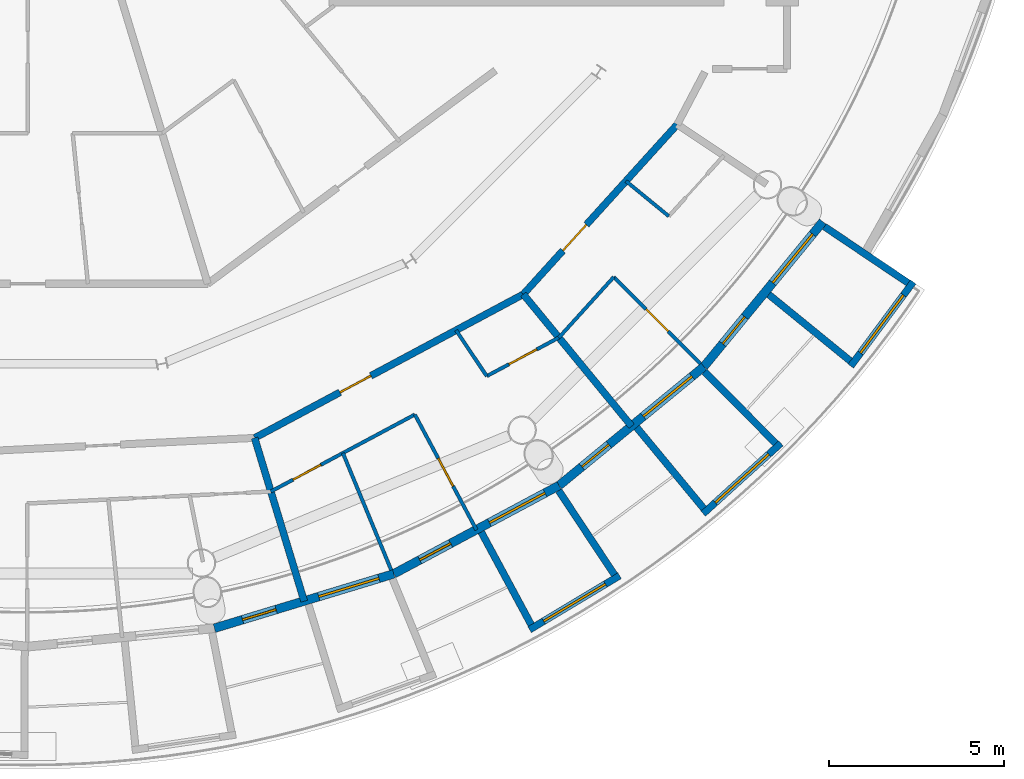
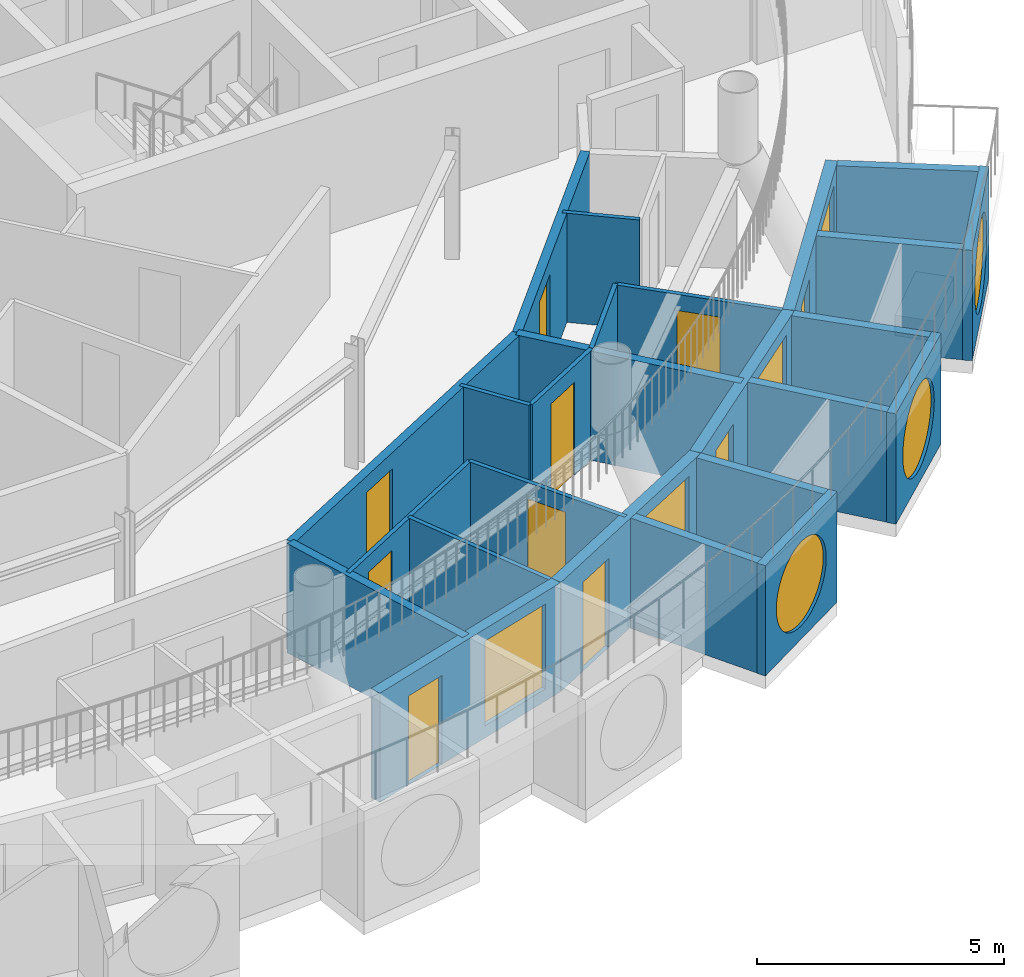
# One storey, part 17 of 29: 25 walls, 10 doors, 7 windows, 17 openings.
"""IFC4 building model written with IfcOpenShell, lengths in metres."""

from ifc_helpers import new_model, si_unit, direction, frame, frame_2d, origin, place, context, subcontext, project, spatial, rectangle, circle, extrude, material, layer, layer_set, type_object, element, fill, save


model = new_model("IFC4")

# Units and contexts
model_context = context("Model", 3, precision=1e-05, world=origin(), true_north=direction((0.0, 1.0)))
body_context = subcontext(model_context, "Body", "Model", "MODEL_VIEW")
ifc_project = project(units=[si_unit("LENGTHUNIT", "METRE"), si_unit("AREAUNIT", "SQUARE_METRE"), si_unit("VOLUMEUNIT", "CUBIC_METRE"), si_unit("PLANEANGLEUNIT", "RADIAN"), si_unit("MASSUNIT", "GRAM", prefix="KILO")], contexts=[model_context])

# Site, building, storey
site_placement = place(None, origin())
site = spatial("IfcSite", under=ifc_project, at=site_placement, CompositionType="ELEMENT")
building_placement = place(site_placement, origin())
building = spatial("IfcBuilding", under=site, at=building_placement, Name="Maasbend Ring Residences", CompositionType="ELEMENT")
storey_placement = place(building_placement, frame((0.0, 0.0, 234.050048828125)))
storey = spatial("IfcBuildingStorey", under=building, at=storey_placement, Name="L67", CompositionType="ELEMENT", Elevation=234.050048828125)

# Wall, opening, door
ifc_material_1 = material(Name="Concrete C30/37", Category="concrete")
ifc_layer_1 = layer(ifc_material_1, 0.199951171875)
ifc_layer_set_1 = layer_set([ifc_layer_1], Name="Concrete C30/37")
wall_type_1 = type_object("IfcWallType", Name="CORRIDOR WALL 200 CONCRETE", PredefinedType="PARTITIONING", material=ifc_layer_set_1)
wall_1_placement = place(storey_placement, frame((14.14697265625, -17.238037109375, 0.0), z_axis=(0.0, 0.0, 1.0), x_axis=(0.671561669125, 0.740948665268, 0.0)))
wall_1 = element("IfcWall", 1, at=wall_1_placement, inside=storey, type_object=wall_type_1, Name="U-L67-w013", PredefinedType="PARTITIONING", context=body_context, shape_type="SweptSolid", body=[
    extrude(rectangle(XDim=6.54443359375, YDim=0.199951171875, at=frame_2d((3.272216796875, 0.0))), origin(), (0.0, 0.0, 1.0), 2.699951171875),
])
opening_1_placement = place(wall_1_placement, frame((1.681884765625, 0.0, 0.0)))
opening_1 = element("IfcOpeningElement", 2, at=opening_1_placement, cuts=wall_1, Name="Opening D-6751", PredefinedType="OPENING", context=body_context, shape_type="SweptSolid", body=[
    extrude(rectangle(XDim=1.0, YDim=2.300048828125, at=frame_2d((0.5, 1.14990234375))), frame((0.0, 0.10986328125, 0.0), z_axis=(0.0, -1.0, 0.0), x_axis=(1.0, 0.0, 0.0)), (0.0, 0.0, 1.0), 0.219970703125),
])
ifc_material_2 = material(Name="Timber, fire-rated, painted", Category="wood")
door_type_1 = type_object("IfcDoorType", Name="FLAT ENTRANCE DOOR 1000 X 2300 FIRE-RATED", OperationType="NOTDEFINED", PredefinedType="DOOR", material=ifc_material_2)
door_1_placement = place(opening_1_placement, origin())
door_1 = element("IfcDoor", 3, at=door_1_placement, inside=storey, type_object=door_type_1, Name="D-6751", OperationType="SINGLE_SWING_LEFT", OverallHeight=2.300048828125, OverallWidth=1.0, PredefinedType="DOOR", context=body_context, shape_type="SweptSolid", body=[
    extrude(rectangle(XDim=1.0, YDim=2.300048828125, at=frame_2d((0.5, 1.14990234375))), frame((0.0, 0.02490234375, 0.0), z_axis=(0.0, -1.0, 0.0), x_axis=(1.0, 0.0, 0.0)), (0.0, 0.0, 1.0), 0.050048828125),
])
fill(opening_1, door_1)

wall_2_placement = place(storey_placement, frame((6.47998046875, -21.339111328125, 0.0), z_axis=(0.0, 0.0, 1.0), x_axis=(0.881794682218, 0.471633478892, 0.0)))
wall_2 = element("IfcWall", 4, at=wall_2_placement, inside=storey, type_object=wall_type_1, Name="U-L67-w016", PredefinedType="PARTITIONING", context=body_context, shape_type="SweptSolid", body=[
    extrude(rectangle(XDim=8.70166015625, YDim=0.199951171875, at=frame_2d((4.350830078125, 0.0))), origin(), (0.0, 0.0, 1.0), 2.699951171875),
])
opening_2_placement = place(wall_2_placement, frame((2.758056640625, 0.0, 0.0)))
opening_2 = element("IfcOpeningElement", 5, at=opening_2_placement, cuts=wall_2, Name="Opening D-6747", PredefinedType="OPENING", context=body_context, shape_type="SweptSolid", body=[
    extrude(rectangle(XDim=1.0, YDim=2.300048828125, at=frame_2d((0.5, 1.14990234375))), frame((0.0, 0.10986328125, 0.0), z_axis=(0.0, -1.0, 0.0), x_axis=(1.0, 0.0, 0.0)), (0.0, 0.0, 1.0), 0.219970703125),
])
door_2_placement = place(opening_2_placement, origin())
door_2 = element("IfcDoor", 6, at=door_2_placement, inside=storey, type_object=door_type_1, Name="D-6747", OperationType="SINGLE_SWING_LEFT", OverallHeight=2.300048828125, OverallWidth=1.0, PredefinedType="DOOR", context=body_context, shape_type="SweptSolid", body=[
    extrude(rectangle(XDim=1.0, YDim=2.300048828125, at=frame_2d((0.5, 1.14990234375))), frame((0.0, 0.02490234375, 0.0), z_axis=(0.0, -1.0, 0.0), x_axis=(1.0, 0.0, 0.0)), (0.0, 0.0, 1.0), 0.050048828125),
])
fill(opening_2, door_2)

# Wall, opening, window
ifc_material_3 = material(Name="Pale anodised aluminium panel", Category="aluminium")
ifc_layer_2 = layer(ifc_material_3, 0.199951171875)
ifc_layer_set_2 = layer_set([ifc_layer_2], Name="EW-BOX")
wall_type_2 = type_object("IfcWallType", Name="EW-BOX", PredefinedType="SOLIDWALL", material=ifc_layer_set_2)
wall_3_placement = place(storey_placement, frame((14.325927734375, -26.81298828125, -0.030029296875), z_axis=(0.0, 0.0, 1.0), x_axis=(0.857672799601, 0.51419584676, 0.0)))
wall_3 = element("IfcWall", 7, at=wall_3_placement, inside=storey, type_object=wall_type_2, Name="Box front S16", PredefinedType="SOLIDWALL", context=body_context, shape_type="SweptSolid", body=[
    extrude(rectangle(XDim=2.9931640625, YDim=0.199951171875, at=frame_2d((1.49658203125, 0.0))), origin(), (0.0, 0.0, 1.0), 2.72998046875),
])
opening_3_placement = place(wall_3_placement, frame((0.45654296875, 0.0, 0.330078125)))
opening_3 = element("IfcOpeningElement", 8, at=opening_3_placement, cuts=wall_3, Name="Opening W-RD", PredefinedType="OPENING", context=body_context, shape_type="SweptSolid", body=[
    extrude(circle(Radius=1.0400390625, at=frame_2d((1.0400390625, 1.0400390625))), frame((0.0, 0.10986328125, 0.0), z_axis=(0.0, -1.0, 0.0), x_axis=(1.0, 0.0, 0.0)), (0.0, 0.0, 1.0), 0.219970703125),
])
ifc_material_4 = material(Name="Aluminium and clear glass", Category="aluminium")
window_type_1 = type_object("IfcWindowType", Name="W-RD", PartitioningType="SINGLE_PANEL", PredefinedType="WINDOW", material=ifc_material_4)
window_1_placement = place(opening_3_placement, origin())
window_1 = element("IfcWindow", 9, at=window_1_placement, inside=storey, type_object=window_type_1, Name="Round window S16", OverallHeight=2.080078125, OverallWidth=2.080078125, PartitioningType="SINGLE_PANEL", PredefinedType="WINDOW", context=body_context, shape_type="SweptSolid", body=[
    extrude(circle(Radius=1.0400390625, at=frame_2d((1.0400390625, 1.0400390625))), frame((0.0, 0.030029296875, 0.0), z_axis=(0.0, -1.0, 0.0), x_axis=(1.0, 0.0, 0.0)), (0.0, 0.0, 1.0), 0.06005859375),
])
fill(opening_3, window_1)

# Walls
wall_4_placement = place(storey_placement, frame((12.945068359375, -24.029052734375, -0.030029296875), z_axis=(0.0, 0.0, 1.0), x_axis=(0.474424310775, -0.88029629861, 0.0)))
element("IfcWall", 10, at=wall_4_placement, inside=storey, type_object=wall_type_2, Name="Box side wall S16 left", PredefinedType="SOLIDWALL", context=body_context, shape_type="SweptSolid", body=[
    extrude(rectangle(XDim=3.005859375, YDim=0.199951171875, at=frame_2d((1.5029296875, 0.0))), origin(), (0.0, 0.0, 1.0), 2.72998046875),
])
wall_5_placement = place(storey_placement, frame((15.156982421875, -22.845947265625, -0.030029296875), z_axis=(0.0, 0.0, 1.0), x_axis=(0.552529231086, -0.833493520548, 0.0)))
element("IfcWall", 11, at=wall_5_placement, inside=storey, type_object=wall_type_2, Name="Box side wall S16 right", PredefinedType="SOLIDWALL", context=body_context, shape_type="SweptSolid", body=[
    extrude(rectangle(XDim=2.883056640625, YDim=0.199951171875, at=frame_2d((1.44140625, 0.0))), origin(), (0.0, 0.0, 1.0), 2.72998046875),
])

# Wall, opening, window
wall_6_placement = place(storey_placement, frame((19.281982421875, -23.5029296875, -0.030029296875), z_axis=(0.0, 0.0, 1.0), x_axis=(0.740998365753, 0.671506829416, 0.0)))
wall_6 = element("IfcWall", 12, at=wall_6_placement, inside=storey, type_object=wall_type_2, Name="Box front S18", PredefinedType="SOLIDWALL", context=body_context, shape_type="SweptSolid", body=[
    extrude(rectangle(XDim=2.9931640625, YDim=0.199951171875, at=frame_2d((1.49658203125, 0.0))), origin(), (0.0, 0.0, 1.0), 2.72998046875),
])
opening_4_placement = place(wall_6_placement, frame((0.45654296875, 0.0, 0.330078125)))
opening_4 = element("IfcOpeningElement", 13, at=opening_4_placement, cuts=wall_6, Name="Opening W-RD", PredefinedType="OPENING", context=body_context, shape_type="SweptSolid", body=[
    extrude(circle(Radius=1.0400390625, at=frame_2d((1.0400390625, 1.0400390625))), frame((0.0, 0.10986328125, 0.0), z_axis=(0.0, -1.0, 0.0), x_axis=(1.0, 0.0, 0.0)), (0.0, 0.0, 1.0), 0.219970703125),
])
window_2_placement = place(opening_4_placement, origin())
window_2 = element("IfcWindow", 14, at=window_2_placement, inside=storey, type_object=window_type_1, Name="Round window S18", OverallHeight=2.080078125, OverallWidth=2.080078125, PartitioningType="SINGLE_PANEL", PredefinedType="WINDOW", context=body_context, shape_type="SweptSolid", body=[
    extrude(circle(Radius=1.0400390625, at=frame_2d((1.0400390625, 1.0400390625))), frame((0.0, 0.030029296875, 0.0), z_axis=(0.0, -1.0, 0.0), x_axis=(1.0, 0.0, 0.0)), (0.0, 0.0, 1.0), 0.06005859375),
])
fill(opening_4, window_2)

# Walls
wall_7_placement = place(storey_placement, frame((17.384033203125, -21.041015625, -0.030029296875), z_axis=(0.0, 0.0, 1.0), x_axis=(0.63709551667, -0.770784861449, 0.0)))
element("IfcWall", 15, at=wall_7_placement, inside=storey, type_object=wall_type_2, Name="Box side wall S18 left", PredefinedType="SOLIDWALL", context=body_context, shape_type="SweptSolid", body=[
    extrude(rectangle(XDim=3.005859375, YDim=0.199951171875, at=frame_2d((1.5029296875, 0.0))), origin(), (0.0, 0.0, 1.0), 2.72998046875),
])
wall_8_placement = place(storey_placement, frame((19.322998046875, -19.449951171875, -0.030029296875), z_axis=(0.0, 0.0, 1.0), x_axis=(0.704476739375, -0.709727076896, 0.0)))
element("IfcWall", 16, at=wall_8_placement, inside=storey, type_object=wall_type_2, Name="Box side wall S18 right", PredefinedType="SOLIDWALL", context=body_context, shape_type="SweptSolid", body=[
    extrude(rectangle(XDim=2.883056640625, YDim=0.199951171875, at=frame_2d((1.44140625, 0.0))), origin(), (0.0, 0.0, 1.0), 2.72998046875),
])

# Wall, opening, window
wall_9_placement = place(storey_placement, frame((23.49609375, -19.2890625, -0.030029296875), z_axis=(0.0, 0.0, 1.0), x_axis=(0.595908005124, 0.803052706508, 0.0)))
wall_9 = element("IfcWall", 17, at=wall_9_placement, inside=storey, type_object=wall_type_2, Name="Box front S20", PredefinedType="SOLIDWALL", context=body_context, shape_type="SweptSolid", body=[
    extrude(rectangle(XDim=2.99365234375, YDim=0.199951171875, at=frame_2d((1.496826171875, 0.0))), origin(), (0.0, 0.0, 1.0), 2.72998046875),
])
opening_5_placement = place(wall_9_placement, frame((0.45654296875, 0.0, 0.330078125)))
opening_5 = element("IfcOpeningElement", 18, at=opening_5_placement, cuts=wall_9, Name="Opening W-RD", PredefinedType="OPENING", context=body_context, shape_type="SweptSolid", body=[
    extrude(circle(Radius=1.0400390625, at=frame_2d((1.0400390625, 1.0400390625))), frame((0.0, 0.10986328125, 0.0), z_axis=(0.0, -1.0, 0.0), x_axis=(1.0, 0.0, 0.0)), (0.0, 0.0, 1.0), 0.219970703125),
])
window_3_placement = place(opening_5_placement, origin())
window_3 = element("IfcWindow", 19, at=window_3_placement, inside=storey, type_object=window_type_1, Name="Round window S20", OverallHeight=2.080078125, OverallWidth=2.080078125, PartitioningType="SINGLE_PANEL", PredefinedType="WINDOW", context=body_context, shape_type="SweptSolid", body=[
    extrude(circle(Radius=1.0400390625, at=frame_2d((1.0400390625, 1.0400390625))), frame((0.0, 0.030029296875, 0.0), z_axis=(0.0, -1.0, 0.0), x_axis=(1.0, 0.0, 0.0)), (0.0, 0.0, 1.0), 0.06005859375),
])
fill(opening_5, window_3)

# Walls
wall_10_placement = place(storey_placement, frame((21.155029296875, -17.24609375, -0.030029296875), z_axis=(0.0, 0.0, 1.0), x_axis=(0.775338113639, -0.631546363729, 0.0)))
element("IfcWall", 20, at=wall_10_placement, inside=storey, type_object=wall_type_2, Name="Box side wall S20 left", PredefinedType="SOLIDWALL", context=body_context, shape_type="SweptSolid", body=[
    extrude(rectangle(XDim=3.005126953125, YDim=0.199951171875, at=frame_2d((1.50244140625, 0.0))), origin(), (0.0, 0.0, 1.0), 2.72998046875),
])
wall_11_placement = place(storey_placement, frame((22.74609375, -15.306884765625, -0.030029296875), z_axis=(0.0, 0.0, 1.0), x_axis=(0.829448139117, -0.558583730979, 0.0)))
element("IfcWall", 21, at=wall_11_placement, inside=storey, type_object=wall_type_2, Name="Box side wall S20 right", PredefinedType="SOLIDWALL", context=body_context, shape_type="SweptSolid", body=[
    extrude(rectangle(XDim=2.882568359375, YDim=0.199951171875, at=frame_2d((1.44140625, 0.0))), origin(), (0.0, 0.0, 1.0), 2.72998046875),
])

# Wall, openings, door, window
ifc_material_5 = material(Name="Aluminium clad insulated panel", Category="aluminium")
ifc_layer_3 = layer(ifc_material_5, 0.25)
ifc_layer_set_3 = layer_set([ifc_layer_3], Name="EW-GL")
wall_type_3 = type_object("IfcWallType", Name="EW-GL", PredefinedType="SOLIDWALL", material=ifc_layer_set_3)
wall_12_placement = place(storey_placement, frame((5.325927734375, -26.77490234375, 0.0), z_axis=(0.0, 0.0, 1.0), x_axis=(0.956965678721, 0.290201119486, 0.0)))
wall_12 = element("IfcWall", 22, at=wall_12_placement, inside=storey, type_object=wall_type_3, Name="External wall S07", PredefinedType="SOLIDWALL", context=body_context, shape_type="SweptSolid", body=[
    extrude(rectangle(XDim=5.351318359375, YDim=0.25, at=frame_2d((2.67578125, 0.0))), origin(), (0.0, 0.0, 1.0), 2.699951171875),
])
opening_6_placement = place(wall_12_placement, frame((0.841064453125, 0.0, 0.0)))
opening_6 = element("IfcOpeningElement", 23, at=opening_6_placement, cuts=wall_12, Name="Opening D-LG", PredefinedType="OPENING", context=body_context, shape_type="SweptSolid", body=[
    extrude(rectangle(XDim=1.0, YDim=2.199951171875, at=frame_2d((0.5, 1.10009765625))), frame((0.0, 0.135009765625, 0.0), z_axis=(0.0, -1.0, 0.0), x_axis=(1.0, 0.0, 0.0)), (0.0, 0.0, 1.0), 0.27001953125),
])
opening_7_placement = place(wall_12_placement, frame((3.110595703125, 0.0, 0.300048828125)))
opening_7 = element("IfcOpeningElement", 24, at=opening_7_placement, cuts=wall_12, Name="Opening W-BX", PredefinedType="OPENING", context=body_context, shape_type="SweptSolid", body=[
    extrude(rectangle(XDim=1.800048828125, YDim=2.10009765625, at=frame_2d((0.89990234375, 1.050048828125))), frame((0.0, 0.135009765625, 0.0), z_axis=(0.0, -1.0, 0.0), x_axis=(1.0, 0.0, 0.0)), (0.0, 0.0, 1.0), 0.27001953125),
])
ifc_material_6 = material(Name="Aluminium and clear glass", Category="aluminium")
door_type_2 = type_object("IfcDoorType", Name="D-LG", OperationType="SINGLE_SWING_LEFT", PredefinedType="DOOR", material=ifc_material_6)
door_3_placement = place(opening_6_placement, origin())
door_3 = element("IfcDoor", 25, at=door_3_placement, inside=storey, type_object=door_type_2, Name="Loggia door S13", OperationType="SINGLE_SWING_LEFT", OverallHeight=2.199951171875, OverallWidth=1.0, PredefinedType="DOOR", context=body_context, shape_type="SweptSolid", body=[
    extrude(rectangle(XDim=1.0, YDim=2.199951171875, at=frame_2d((0.5, 1.10009765625))), frame((0.0, 0.02490234375, 0.0), z_axis=(0.0, -1.0, 0.0), x_axis=(1.0, 0.0, 0.0)), (0.0, 0.0, 1.0), 0.050048828125),
])
fill(opening_6, door_3)
ifc_material_7 = material(Name="Aluminium and clear glass", Category="aluminium")
window_type_2 = type_object("IfcWindowType", Name="W-BX", PartitioningType="DOUBLE_PANEL_VERTICAL", PredefinedType="WINDOW", material=ifc_material_7)
window_4_placement = place(opening_7_placement, origin())
window_4 = element("IfcWindow", 26, at=window_4_placement, inside=storey, type_object=window_type_2, Name="Window S14 room to box", OverallHeight=2.10009765625, OverallWidth=1.800048828125, PartitioningType="SINGLE_PANEL", PredefinedType="WINDOW", context=body_context, shape_type="SweptSolid", body=[
    extrude(rectangle(XDim=1.800048828125, YDim=2.10009765625, at=frame_2d((0.89990234375, 1.050048828125))), frame((0.0, 0.030029296875, 0.0), z_axis=(0.0, -1.0, 0.0), x_axis=(1.0, 0.0, 0.0)), (0.0, 0.0, 1.0), 0.06005859375),
])
fill(opening_7, window_4)

wall_13_placement = place(storey_placement, frame((10.447021484375, -25.221923828125, 0.0), z_axis=(0.0, 0.0, 1.0), x_axis=(0.881915646801, 0.471407246368, 0.0)))
wall_13 = element("IfcWall", 27, at=wall_13_placement, inside=storey, type_object=wall_type_3, Name="External wall S08", PredefinedType="SOLIDWALL", context=body_context, shape_type="SweptSolid", body=[
    extrude(rectangle(XDim=5.35205078125, YDim=0.25, at=frame_2d((2.676025390625, 0.0))), origin(), (0.0, 0.0, 1.0), 2.699951171875),
])
opening_8_placement = place(wall_13_placement, frame((0.841064453125, 0.0, 0.0)))
opening_8 = element("IfcOpeningElement", 28, at=opening_8_placement, cuts=wall_13, Name="Opening D-LG", PredefinedType="OPENING", context=body_context, shape_type="SweptSolid", body=[
    extrude(rectangle(XDim=1.0, YDim=2.199951171875, at=frame_2d((0.5, 1.10009765625))), frame((0.0, 0.135009765625, 0.0), z_axis=(0.0, -1.0, 0.0), x_axis=(1.0, 0.0, 0.0)), (0.0, 0.0, 1.0), 0.27001953125),
])
opening_9_placement = place(wall_13_placement, frame((3.095947265625, 0.0, 0.300048828125)))
opening_9 = element("IfcOpeningElement", 29, at=opening_9_placement, cuts=wall_13, Name="Opening W-BX", PredefinedType="OPENING", context=body_context, shape_type="SweptSolid", body=[
    extrude(rectangle(XDim=1.800048828125, YDim=2.10009765625, at=frame_2d((0.89990234375, 1.050048828125))), frame((0.0, 0.135009765625, 0.0), z_axis=(0.0, -1.0, 0.0), x_axis=(1.0, 0.0, 0.0)), (0.0, 0.0, 1.0), 0.27001953125),
])
door_4_placement = place(opening_8_placement, origin())
door_4 = element("IfcDoor", 30, at=door_4_placement, inside=storey, type_object=door_type_2, Name="Loggia door S15", OperationType="SINGLE_SWING_LEFT", OverallHeight=2.199951171875, OverallWidth=1.0, PredefinedType="DOOR", context=body_context, shape_type="SweptSolid", body=[
    extrude(rectangle(XDim=1.0, YDim=2.199951171875, at=frame_2d((0.5, 1.10009765625))), frame((0.0, 0.02490234375, 0.0), z_axis=(0.0, -1.0, 0.0), x_axis=(1.0, 0.0, 0.0)), (0.0, 0.0, 1.0), 0.050048828125),
])
fill(opening_8, door_4)
window_5_placement = place(opening_9_placement, origin())
window_5 = element("IfcWindow", 31, at=window_5_placement, inside=storey, type_object=window_type_2, Name="Window S16 room to box", OverallHeight=2.10009765625, OverallWidth=1.800048828125, PartitioningType="SINGLE_PANEL", PredefinedType="WINDOW", context=body_context, shape_type="SweptSolid", body=[
    extrude(rectangle(XDim=1.800048828125, YDim=2.10009765625, at=frame_2d((0.89990234375, 1.050048828125))), frame((0.0, 0.030029296875, 0.0), z_axis=(0.0, -1.0, 0.0), x_axis=(1.0, 0.0, 0.0)), (0.0, 0.0, 1.0), 0.06005859375),
])
fill(opening_9, window_5)

wall_14_placement = place(storey_placement, frame((15.1669921875, -22.698974609375, 0.0), z_axis=(0.0, 0.0, 1.0), x_axis=(0.773019449054, 0.634382322723, 0.0)))
wall_14 = element("IfcWall", 32, at=wall_14_placement, inside=storey, type_object=wall_type_3, Name="External wall S09", PredefinedType="SOLIDWALL", context=body_context, shape_type="SweptSolid", body=[
    extrude(rectangle(XDim=5.351806640625, YDim=0.25, at=frame_2d((2.67578125, 0.0))), origin(), (0.0, 0.0, 1.0), 2.699951171875),
])
opening_10_placement = place(wall_14_placement, frame((0.841064453125, 0.0, 0.0)))
opening_10 = element("IfcOpeningElement", 33, at=opening_10_placement, cuts=wall_14, Name="Opening D-LG", PredefinedType="OPENING", context=body_context, shape_type="SweptSolid", body=[
    extrude(rectangle(XDim=1.0, YDim=2.199951171875, at=frame_2d((0.5, 1.10009765625))), frame((0.0, 0.135009765625, 0.0), z_axis=(0.0, -1.0, 0.0), x_axis=(1.0, 0.0, 0.0)), (0.0, 0.0, 1.0), 0.27001953125),
])
opening_11_placement = place(wall_14_placement, frame((3.110595703125, 0.0, 0.300048828125)))
opening_11 = element("IfcOpeningElement", 34, at=opening_11_placement, cuts=wall_14, Name="Opening W-BX", PredefinedType="OPENING", context=body_context, shape_type="SweptSolid", body=[
    extrude(rectangle(XDim=1.800048828125, YDim=2.10009765625, at=frame_2d((0.89990234375, 1.050048828125))), frame((0.0, 0.135009765625, 0.0), z_axis=(0.0, -1.0, 0.0), x_axis=(1.0, 0.0, 0.0)), (0.0, 0.0, 1.0), 0.27001953125),
])
door_5_placement = place(opening_10_placement, origin())
door_5 = element("IfcDoor", 35, at=door_5_placement, inside=storey, type_object=door_type_2, Name="Loggia door S17", OperationType="SINGLE_SWING_LEFT", OverallHeight=2.199951171875, OverallWidth=1.0, PredefinedType="DOOR", context=body_context, shape_type="SweptSolid", body=[
    extrude(rectangle(XDim=1.0, YDim=2.199951171875, at=frame_2d((0.5, 1.10009765625))), frame((0.0, 0.02490234375, 0.0), z_axis=(0.0, -1.0, 0.0), x_axis=(1.0, 0.0, 0.0)), (0.0, 0.0, 1.0), 0.050048828125),
])
fill(opening_10, door_5)
window_6_placement = place(opening_11_placement, origin())
window_6 = element("IfcWindow", 36, at=window_6_placement, inside=storey, type_object=window_type_2, Name="Window S18 room to box", OverallHeight=2.10009765625, OverallWidth=1.800048828125, PartitioningType="SINGLE_PANEL", PredefinedType="WINDOW", context=body_context, shape_type="SweptSolid", body=[
    extrude(rectangle(XDim=1.800048828125, YDim=2.10009765625, at=frame_2d((0.89990234375, 1.050048828125))), frame((0.0, 0.030029296875, 0.0), z_axis=(0.0, -1.0, 0.0), x_axis=(1.0, 0.0, 0.0)), (0.0, 0.0, 1.0), 0.06005859375),
])
fill(opening_11, window_6)

wall_15_placement = place(storey_placement, frame((19.303955078125, -19.303955078125, 0.0), z_axis=(0.0, 0.0, 1.0), x_axis=(0.634382322723, 0.773019449054, 0.0)))
wall_15 = element("IfcWall", 37, at=wall_15_placement, inside=storey, type_object=wall_type_3, Name="External wall S10", PredefinedType="SOLIDWALL", context=body_context, shape_type="SweptSolid", body=[
    extrude(rectangle(XDim=5.351806640625, YDim=0.25, at=frame_2d((2.67578125, 0.0))), origin(), (0.0, 0.0, 1.0), 2.699951171875),
])
opening_12_placement = place(wall_15_placement, frame((0.841064453125, 0.0, 0.0)))
opening_12 = element("IfcOpeningElement", 38, at=opening_12_placement, cuts=wall_15, Name="Opening D-LG", PredefinedType="OPENING", context=body_context, shape_type="SweptSolid", body=[
    extrude(rectangle(XDim=1.0, YDim=2.199951171875, at=frame_2d((0.5, 1.10009765625))), frame((0.0, 0.135009765625, 0.0), z_axis=(0.0, -1.0, 0.0), x_axis=(1.0, 0.0, 0.0)), (0.0, 0.0, 1.0), 0.27001953125),
])
opening_13_placement = place(wall_15_placement, frame((3.095947265625, 0.0, 0.300048828125)))
opening_13 = element("IfcOpeningElement", 39, at=opening_13_placement, cuts=wall_15, Name="Opening W-BX", PredefinedType="OPENING", context=body_context, shape_type="SweptSolid", body=[
    extrude(rectangle(XDim=1.800048828125, YDim=2.10009765625, at=frame_2d((0.89990234375, 1.050048828125))), frame((0.0, 0.135009765625, 0.0), z_axis=(0.0, -1.0, 0.0), x_axis=(1.0, 0.0, 0.0)), (0.0, 0.0, 1.0), 0.27001953125),
])
door_6_placement = place(opening_12_placement, origin())
door_6 = element("IfcDoor", 40, at=door_6_placement, inside=storey, type_object=door_type_2, Name="Loggia door S19", OperationType="SINGLE_SWING_LEFT", OverallHeight=2.199951171875, OverallWidth=1.0, PredefinedType="DOOR", context=body_context, shape_type="SweptSolid", body=[
    extrude(rectangle(XDim=1.0, YDim=2.199951171875, at=frame_2d((0.5, 1.10009765625))), frame((0.0, 0.02490234375, 0.0), z_axis=(0.0, -1.0, 0.0), x_axis=(1.0, 0.0, 0.0)), (0.0, 0.0, 1.0), 0.050048828125),
])
fill(opening_12, door_6)
window_7_placement = place(opening_13_placement, origin())
window_7 = element("IfcWindow", 41, at=window_7_placement, inside=storey, type_object=window_type_2, Name="Window S20 room to box", OverallHeight=2.10009765625, OverallWidth=1.800048828125, PartitioningType="SINGLE_PANEL", PredefinedType="WINDOW", context=body_context, shape_type="SweptSolid", body=[
    extrude(rectangle(XDim=1.800048828125, YDim=2.10009765625, at=frame_2d((0.89990234375, 1.050048828125))), frame((0.0, 0.030029296875, 0.0), z_axis=(0.0, -1.0, 0.0), x_axis=(1.0, 0.0, 0.0)), (0.0, 0.0, 1.0), 0.06005859375),
])
fill(opening_13, window_7)

# Wall
ifc_material_8 = material(Name="Gypsum board on steel studs", Category="steel")
ifc_layer_4 = layer(ifc_material_8, 0.10009765625)
ifc_layer_set_4 = layer_set([ifc_layer_4], Name="PARTITION 100 GYPSUM")
wall_type_4 = type_object("IfcWallType", Name="PARTITION 100 GYPSUM", PredefinedType="PARTITIONING", material=ifc_layer_set_4)
wall_16_placement = place(storey_placement, frame((15.162109375, -18.47509765625, 0.0), z_axis=(0.0, 0.0, 1.0), x_axis=(0.671528384412, 0.740978831634, 0.0)))
element("IfcWall", 42, at=wall_16_placement, inside=storey, type_object=wall_type_4, Name="U-L67-w001", PredefinedType="PARTITIONING", context=body_context, shape_type="SweptSolid", body=[
    extrude(rectangle(XDim=2.337646484375, YDim=0.10009765625, at=frame_2d((1.1689453125, 0.0))), origin(), (0.0, 0.0, 1.0), 2.699951171875),
])

# Wall, opening, door
wall_17_placement = place(storey_placement, frame((6.93798828125, -22.87109375, 0.0), z_axis=(0.0, 0.0, 1.0), x_axis=(0.881916280728, 0.471406060405, 0.0)))
wall_17 = element("IfcWall", 43, at=wall_17_placement, inside=storey, type_object=wall_type_4, Name="U-L67-w007", PredefinedType="PARTITIONING", context=body_context, shape_type="SweptSolid", body=[
    extrude(rectangle(XDim=4.66259765625, YDim=0.10009765625, at=frame_2d((2.331298828125, 0.0))), origin(), (0.0, 0.0, 1.0), 2.699951171875),
])
opening_14_placement = place(wall_17_placement, frame((0.716064453125, 0.0, 0.0)))
opening_14 = element("IfcOpeningElement", 44, at=opening_14_placement, cuts=wall_17, Name="Opening D-6750", PredefinedType="OPENING", context=body_context, shape_type="SweptSolid", body=[
    extrude(rectangle(XDim=0.89990234375, YDim=2.300048828125, at=frame_2d((0.449951171875, 1.14990234375))), frame((0.0, 0.06005859375, 0.0), z_axis=(0.0, -1.0, 0.0), x_axis=(1.0, 0.0, 0.0)), (0.0, 0.0, 1.0), 0.1201171875),
])
ifc_material_9 = material(Name="Timber, painted", Category="wood")
door_type_3 = type_object("IfcDoorType", Name="INTERNAL DOOR 900 X 2300", OperationType="NOTDEFINED", PredefinedType="DOOR", material=ifc_material_9)
door_7_placement = place(opening_14_placement, origin())
door_7 = element("IfcDoor", 45, at=door_7_placement, inside=storey, type_object=door_type_3, Name="D-6750", OperationType="SINGLE_SWING_LEFT", OverallHeight=2.300048828125, OverallWidth=0.89990234375, PredefinedType="DOOR", context=body_context, shape_type="SweptSolid", body=[
    extrude(rectangle(XDim=0.89990234375, YDim=2.300048828125, at=frame_2d((0.449951171875, 1.14990234375))), frame((0.0, 0.02490234375, 0.0), z_axis=(0.0, -1.0, 0.0), x_axis=(1.0, 0.0, 0.0)), (0.0, 0.0, 1.0), 0.050048828125),
])
fill(opening_14, door_7)

wall_18_placement = place(storey_placement, frame((13.10595703125, -19.573974609375, 0.0), z_axis=(0.0, 0.0, 1.0), x_axis=(0.881949682246, 0.471343566824, 0.0)))
wall_18 = element("IfcWall", 46, at=wall_18_placement, inside=storey, type_object=wall_type_4, Name="U-L67-w008", PredefinedType="PARTITIONING", context=body_context, shape_type="SweptSolid", body=[
    extrude(rectangle(XDim=2.331298828125, YDim=0.10009765625, at=frame_2d((1.16552734375, 0.0))), origin(), (0.0, 0.0, 1.0), 2.699951171875),
])
opening_15_placement = place(wall_18_placement, frame((0.716064453125, 0.0, 0.0)))
opening_15 = element("IfcOpeningElement", 47, at=opening_15_placement, cuts=wall_18, Name="Opening D-6748", PredefinedType="OPENING", context=body_context, shape_type="SweptSolid", body=[
    extrude(rectangle(XDim=0.89990234375, YDim=2.300048828125, at=frame_2d((0.449951171875, 1.14990234375))), frame((0.0, 0.06005859375, 0.0), z_axis=(0.0, -1.0, 0.0), x_axis=(1.0, 0.0, 0.0)), (0.0, 0.0, 1.0), 0.1201171875),
])
door_8_placement = place(opening_15_placement, origin())
door_8 = element("IfcDoor", 48, at=door_8_placement, inside=storey, type_object=door_type_3, Name="D-6748", OperationType="SINGLE_SWING_LEFT", OverallHeight=2.300048828125, OverallWidth=0.89990234375, PredefinedType="DOOR", context=body_context, shape_type="SweptSolid", body=[
    extrude(rectangle(XDim=0.89990234375, YDim=2.300048828125, at=frame_2d((0.449951171875, 1.14990234375))), frame((0.0, 0.02490234375, 0.0), z_axis=(0.0, -1.0, 0.0), x_axis=(1.0, 0.0, 0.0)), (0.0, 0.0, 1.0), 0.050048828125),
])
fill(opening_15, door_8)

# Walls
wall_19_placement = place(storey_placement, frame((17.076904296875, -14.006103515625, 0.0), z_axis=(0.0, 0.0, 1.0), x_axis=(0.773476341377, -0.633825172528, 0.0)))
element("IfcWall", 49, at=wall_19_placement, inside=storey, type_object=wall_type_4, Name="U-L67-w038", PredefinedType="PARTITIONING", context=body_context, shape_type="SweptSolid", body=[
    extrude(rectangle(XDim=1.583984375, YDim=0.10009765625, at=frame_2d((0.7919921875, 0.0))), origin(), (0.0, 0.0, 1.0), 2.699951171875),
])
wall_20_placement = place(storey_placement, frame((8.993896484375, -21.77197265625, 0.0), z_axis=(0.0, 0.0, 1.0), x_axis=(0.381733837918, -0.924272295911, 0.0)))
element("IfcWall", 50, at=wall_20_placement, inside=storey, type_object=wall_type_4, Name="U-L67-w081", PredefinedType="PARTITIONING", context=body_context, shape_type="SweptSolid", body=[
    extrude(rectangle(XDim=3.617919921875, YDim=0.10009765625, at=frame_2d((1.80908203125, 0.0))), origin(), (0.0, 0.0, 1.0), 2.699951171875),
])

# Wall, opening, door
wall_21_placement = place(storey_placement, frame((11.049072265625, -20.674072265625, 0.0), z_axis=(0.0, 0.0, 1.0), x_axis=(0.471372010014, -0.881934480659, 0.0)))
wall_21 = element("IfcWall", 51, at=wall_21_placement, inside=storey, type_object=wall_type_4, Name="U-L67-w084", PredefinedType="PARTITIONING", context=body_context, shape_type="SweptSolid", body=[
    extrude(rectangle(XDim=3.73388671875, YDim=0.10009765625, at=frame_2d((1.866943359375, 0.0))), origin(), (0.0, 0.0, 1.0), 2.699951171875),
])
opening_16_placement = place(wall_21_placement, frame((1.4169921875, 0.0, 0.0)))
opening_16 = element("IfcOpeningElement", 52, at=opening_16_placement, cuts=wall_21, Name="Opening D-6749", PredefinedType="OPENING", context=body_context, shape_type="SweptSolid", body=[
    extrude(rectangle(XDim=0.89990234375, YDim=2.300048828125, at=frame_2d((0.449951171875, 1.14990234375))), frame((0.0, 0.06005859375, 0.0), z_axis=(0.0, -1.0, 0.0), x_axis=(1.0, 0.0, 0.0)), (0.0, 0.0, 1.0), 0.1201171875),
])
door_9_placement = place(opening_16_placement, origin())
door_9 = element("IfcDoor", 53, at=door_9_placement, inside=storey, type_object=door_type_3, Name="D-6749", OperationType="SINGLE_SWING_LEFT", OverallHeight=2.300048828125, OverallWidth=0.89990234375, PredefinedType="DOOR", context=body_context, shape_type="SweptSolid", body=[
    extrude(rectangle(XDim=0.89990234375, YDim=2.300048828125, at=frame_2d((0.449951171875, 1.14990234375))), frame((0.0, 0.02490234375, 0.0), z_axis=(0.0, -1.0, 0.0), x_axis=(1.0, 0.0, 0.0)), (0.0, 0.0, 1.0), 0.050048828125),
])
fill(opening_16, door_9)

# Wall
wall_22_placement = place(storey_placement, frame((12.22607421875, -18.26611328125, 0.0), z_axis=(0.0, 0.0, 1.0), x_axis=(0.55634326631, -0.830952567859, 0.0)))
element("IfcWall", 54, at=wall_22_placement, inside=storey, type_object=wall_type_4, Name="U-L67-w086", PredefinedType="PARTITIONING", context=body_context, shape_type="SweptSolid", body=[
    extrude(rectangle(XDim=1.576171875, YDim=0.10009765625, at=frame_2d((0.7880859375, 0.0))), origin(), (0.0, 0.0, 1.0), 2.699951171875),
])

# Wall, opening, door
wall_23_placement = place(storey_placement, frame((16.73193359375, -16.742919921875, 0.0), z_axis=(0.0, 0.0, 1.0), x_axis=(0.706967463531, -0.707246071398, 0.0)))
wall_23 = element("IfcWall", 55, at=wall_23_placement, inside=storey, type_object=wall_type_4, Name="U-L67-w090", PredefinedType="PARTITIONING", context=body_context, shape_type="SweptSolid", body=[
    extrude(rectangle(XDim=3.505126953125, YDim=0.10009765625, at=frame_2d((1.75244140625, 0.0))), origin(), (0.0, 0.0, 1.0), 2.699951171875),
])
opening_17_placement = place(wall_23_placement, frame((1.302978515625, 0.0, 0.0)))
opening_17 = element("IfcOpeningElement", 56, at=opening_17_placement, cuts=wall_23, Name="Opening D-6753", PredefinedType="OPENING", context=body_context, shape_type="SweptSolid", body=[
    extrude(rectangle(XDim=0.89990234375, YDim=2.300048828125, at=frame_2d((0.449951171875, 1.14990234375))), frame((0.0, 0.06005859375, 0.0), z_axis=(0.0, -1.0, 0.0), x_axis=(1.0, 0.0, 0.0)), (0.0, 0.0, 1.0), 0.1201171875),
])
door_10_placement = place(opening_17_placement, origin())
door_10 = element("IfcDoor", 57, at=door_10_placement, inside=storey, type_object=door_type_3, Name="D-6753", OperationType="SINGLE_SWING_LEFT", OverallHeight=2.300048828125, OverallWidth=0.89990234375, PredefinedType="DOOR", context=body_context, shape_type="SweptSolid", body=[
    extrude(rectangle(XDim=0.89990234375, YDim=2.300048828125, at=frame_2d((0.449951171875, 1.14990234375))), frame((0.0, 0.02490234375, 0.0), z_axis=(0.0, -1.0, 0.0), x_axis=(1.0, 0.0, 0.0)), (0.0, 0.0, 1.0), 0.050048828125),
])
fill(opening_17, door_10)

# Walls
ifc_material_10 = material(Name="Concrete C30/37", Category="concrete")
ifc_layer_5 = layer(ifc_material_10, 0.199951171875)
ifc_layer_set_5 = layer_set([ifc_layer_5], Name="Concrete C30/37")
wall_type_5 = type_object("IfcWallType", Name="PARTY WALL 200 CONCRETE", PredefinedType="PARTITIONING", material=ifc_layer_set_5)
wall_24_placement = place(storey_placement, frame((6.472900390625, -21.340087890625, 0.0), z_axis=(0.0, 0.0, 1.0), x_axis=(0.290705166682, -0.956812680761, 0.0)))
element("IfcWall", 58, at=wall_24_placement, inside=storey, type_object=wall_type_5, Name="U-L67-w037", PredefinedType="PARTITIONING", context=body_context, shape_type="SweptSolid", body=[
    extrude(rectangle(XDim=4.874267578125, YDim=0.199951171875, at=frame_2d((2.43701171875, 0.0))), origin(), (0.0, 0.0, 1.0), 2.699951171875),
])
wall_25_placement = place(storey_placement, frame((14.14697265625, -17.238037109375, 0.0), z_axis=(0.0, 0.0, 1.0), x_axis=(0.634374159378, -0.773026148273, 0.0)))
element("IfcWall", 59, at=wall_25_placement, inside=storey, type_object=wall_type_5, Name="U-L67-w087", PredefinedType="PARTITIONING", context=body_context, shape_type="SweptSolid", body=[
    extrude(rectangle(XDim=4.875732421875, YDim=0.199951171875, at=frame_2d((2.43798828125, 0.0))), origin(), (0.0, 0.0, 1.0), 2.699951171875),
])

save(model, "model.ifc")
